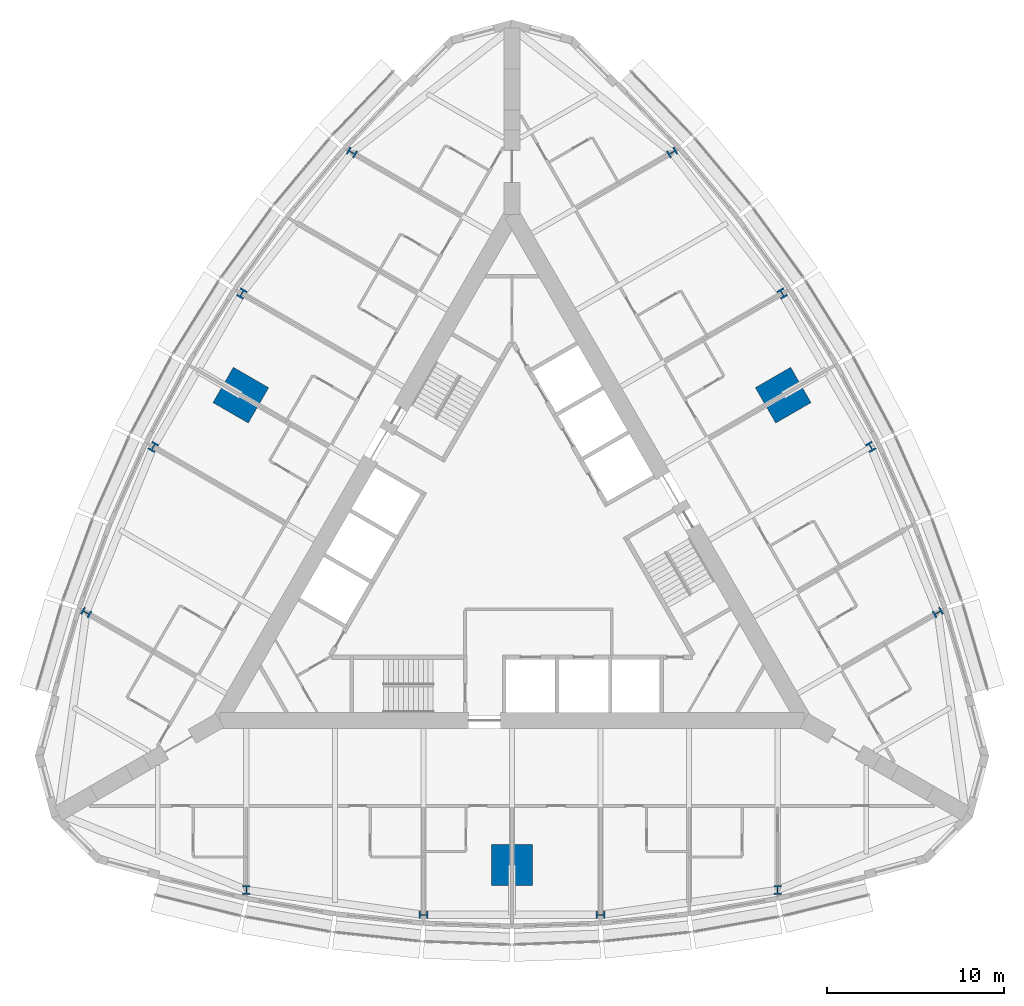
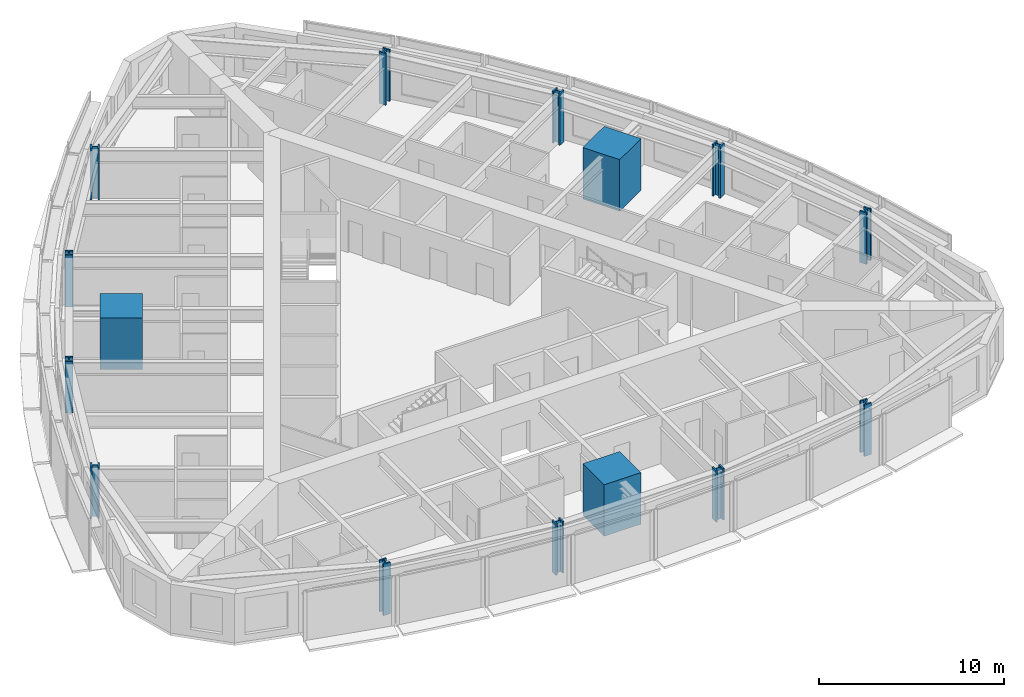
# One storey, part 1 of 14: 15 columns.
"""IFC4 building model written with IfcOpenShell, lengths in metres."""

from ifc_helpers import new_model, si_unit, direction, frame, origin, origin_2d, place, context, subcontext, project, spatial, rectangle, i_section, extrude, material, material_profile, profile_set, type_object, element, save


model = new_model("IFC4")

# Units and contexts
model_context = context("Model", 3, precision=1e-05, world=origin(), true_north=direction((0.0, 1.0)))
body_context = subcontext(model_context, "Body", "Model", "MODEL_VIEW")
ifc_project = project(units=[si_unit("LENGTHUNIT", "METRE"), si_unit("AREAUNIT", "SQUARE_METRE"), si_unit("VOLUMEUNIT", "CUBIC_METRE"), si_unit("PLANEANGLEUNIT", "RADIAN"), si_unit("MASSUNIT", "GRAM", prefix="KILO")], contexts=[model_context])

# Site, building, storey
site_placement = place(None, origin())
site = spatial("IfcSite", under=ifc_project, at=site_placement, CompositionType="ELEMENT")
building_placement = place(site_placement, origin())
building = spatial("IfcBuilding", under=site, at=building_placement, Name="Trikona Tower", CompositionType="ELEMENT")
storey_placement = place(building_placement, frame((0.0, 0.0, 128.300048828125)))
storey = spatial("IfcBuildingStorey", under=building, at=storey_placement, Name="L33", CompositionType="ELEMENT", Elevation=128.300048828125)

# Columns
ifc_material_1 = material(Name="Concrete f'c 10000 psi with encased steel section", Category="concrete")
ifc_material_profile_1 = material_profile(ifc_material_1, rectangle(XDim=2.300048828125, YDim=2.300048828125, at=origin_2d()), Name="MC2300")
ifc_profile_set_1 = profile_set([ifc_material_profile_1], Name="Concrete f'c 10000 psi with encased steel section")
column_type_1 = type_object("IfcColumnType", Name="Composite mega column 2300x2300", PredefinedType="COLUMN", material=ifc_profile_set_1)
for number, where, z_axis, x_axis, name in (
    (1, (0.0, -17.680419921875, 0.0), (0.0, 0.0, 1.0), (0.0, -1.0, 0.0), "Mega column MC1"),
    (2, (15.311767578125, 8.84033203125, 0.0), (0.0, 0.0, 1.0), (0.866025403784, 0.5, 0.0), "Mega column MC2"),
    (3, (-15.311767578125, 8.84033203125, 0.0), (0.0, 0.0, 1.0), (-0.866025403784, 0.5, 0.0), "Mega column MC3"),
):
    element("IfcColumn", number, at=place(storey_placement, frame(where, z_axis=z_axis, x_axis=x_axis)), inside=storey, type_object=column_type_1, Name=name, PredefinedType="COLUMN", context=body_context, shape_type="SweptSolid", body=[
        extrude(rectangle(XDim=2.300048828125, YDim=2.300048828125, at=origin_2d()), origin(), (0.0, 0.0, 1.0), 3.39990234375),
    ])
ifc_material_2 = material(Name="Steel ASTM A992 Grade 50", Category="steel")
ifc_material_profile_2 = material_profile(ifc_material_2, i_section(OverallWidth=0.436767578125, OverallDepth=0.51318359375, WebThickness=0.060546875, FlangeThickness=0.096923828125, at=origin_2d()), Name="W14X550")
ifc_profile_set_2 = profile_set([ifc_material_profile_2], Name="Steel ASTM A992 Grade 50")
column_type_2 = type_object("IfcColumnType", Name="Steel column W14x550", PredefinedType="COLUMN", material=ifc_profile_set_2)
for number, where, z_axis, x_axis, name in (
    (4, (-15.0, -19.10009765625, 0.0), (0.0, 0.0, 1.0), (1.0, 0.0, 0.0), "Column F0m15"),
    (5, (-5.0, -20.500244140625, 0.0), (0.0, 0.0, 1.0), (0.0, -1.0, 0.0), "Column F0m5"),
    (6, (5.0, -20.500244140625, 0.0), (0.0, 0.0, 1.0), (0.0, -1.0, 0.0), "Column F0p5"),
    (7, (15.0, -19.10009765625, 0.0), (0.0, 0.0, 1.0), (1.0, 0.0, 0.0), "Column F0p15"),
    (8, (24.041259765625, -3.440185546875, 0.0), (0.0, 0.0, 1.0), (-0.5, 0.866025403784, 0.0), "Column F1m15"),
    (9, (20.253662109375, 5.919921875, 0.0), (0.0, 0.0, 1.0), (0.866025403784, 0.5, 0.0), "Column F1m5"),
    (10, (15.253662109375, 14.580078125, 0.0), (0.0, 0.0, 1.0), (0.866025403784, 0.5, 0.0), "Column F1p5"),
    (11, (9.041259765625, 22.54052734375, 0.0), (0.0, 0.0, 1.0), (-0.5, 0.866025403784, 0.0), "Column F1p15"),
    (12, (-9.041259765625, 22.54052734375, 0.0), (0.0, 0.0, 1.0), (-0.5, -0.866025403784, 0.0), "Column F2m15"),
    (13, (-15.253662109375, 14.580078125, 0.0), (0.0, 0.0, 1.0), (-0.866025403784, 0.5, 0.0), "Column F2m5"),
    (14, (-20.253662109375, 5.919921875, 0.0), (0.0, 0.0, 1.0), (-0.866025403784, 0.5, 0.0), "Column F2p5"),
    (15, (-24.041259765625, -3.440185546875, 0.0), (0.0, 0.0, 1.0), (-0.5, -0.866025403784, 0.0), "Column F2p15"),
):
    element("IfcColumn", number, at=place(storey_placement, frame(where, z_axis=z_axis, x_axis=x_axis)), inside=storey, type_object=column_type_2, Name=name, PredefinedType="COLUMN", context=body_context, shape_type="SweptSolid", body=[
        extrude(i_section(OverallWidth=0.436767578125, OverallDepth=0.51318359375, WebThickness=0.060546875, FlangeThickness=0.096923828125, at=origin_2d()), origin(), (0.0, 0.0, 1.0), 3.39990234375),
    ])

save(model, "model.ifc")
